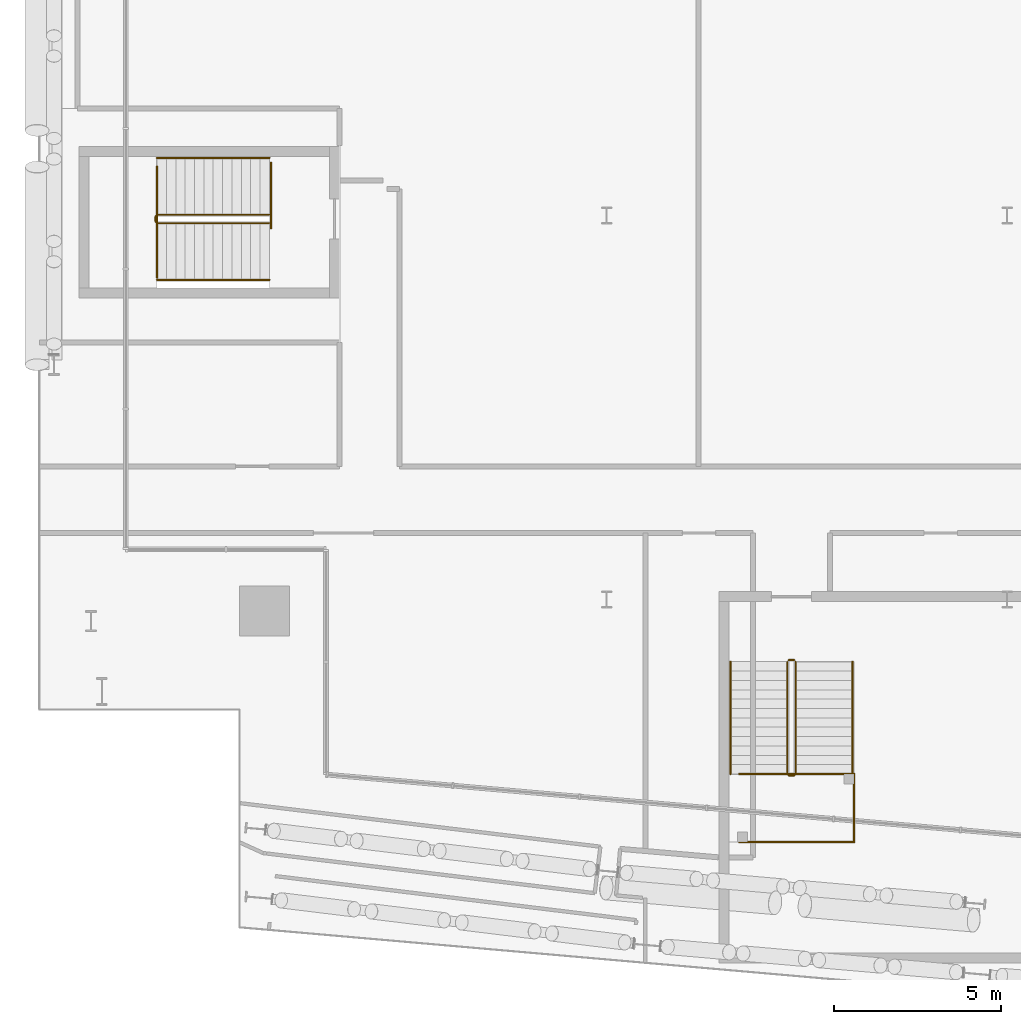
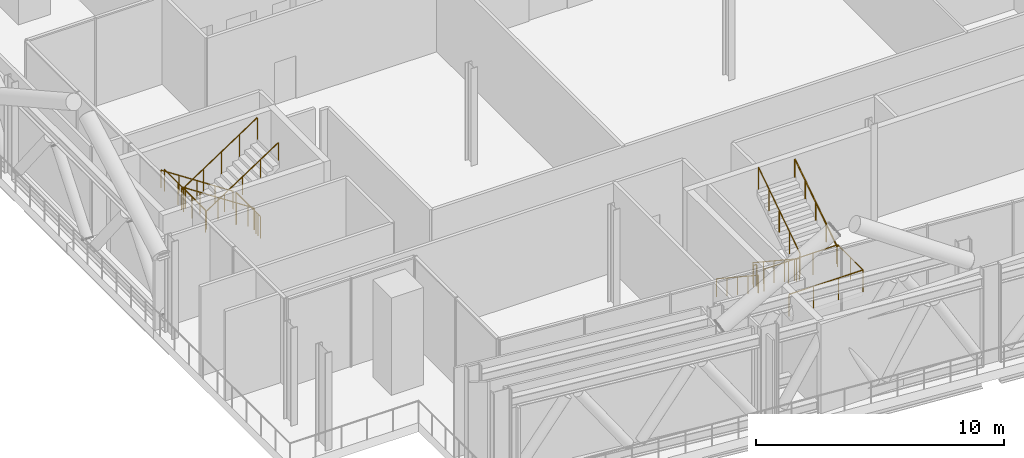
# One storey, part 36 of 42: 13 railings.
"""IFC4 building model written with IfcOpenShell, lengths in metres."""

from ifc_helpers import new_model, si_unit, direction, frame, origin, origin_2d, place, context, subcontext, project, spatial, circle, extrude, material, type_object, element, save


model = new_model("IFC4")

# Units and contexts
model_context = context("Model", 3, precision=1e-05, world=origin(), true_north=direction((0.0, 1.0)))
body_context = subcontext(model_context, "Body", "Model", "MODEL_VIEW")
ifc_project = project(units=[si_unit("LENGTHUNIT", "METRE"), si_unit("AREAUNIT", "SQUARE_METRE"), si_unit("VOLUMEUNIT", "CUBIC_METRE"), si_unit("PLANEANGLEUNIT", "RADIAN"), si_unit("MASSUNIT", "GRAM", prefix="KILO")], contexts=[model_context])

# Site, building, storey
site_placement = place(None, origin())
site = spatial("IfcSite", under=ifc_project, at=site_placement, CompositionType="ELEMENT")
building_placement = place(site_placement, origin())
building = spatial("IfcBuilding", under=site, at=building_placement, Name="Wharfspan Tower", CompositionType="ELEMENT")
storey_placement = place(building_placement, frame((0.0, 0.0, 147.100098)))
storey = spatial("IfcBuildingStorey", under=building, at=storey_placement, Name="L35", CompositionType="ELEMENT", Elevation=147.100098)

# Railings
ifc_material = material(Name="Steel S355J2", Category="steel")
railing_type_1 = type_object("IfcRailingType", Name="Stair guard 1100", PredefinedType="GUARDRAIL", material=ifc_material)
railing_1_placement = place(storey_placement, frame((10.540039, 21.13501, 2.399902)))
element("IfcRailing", 1, at=railing_1_placement, inside=storey, type_object=railing_type_1, Name="L35 ST3 band guard 1", PredefinedType="GUARDRAIL", context=body_context, shape_type="SweptSolid", body=[
    extrude(circle(Radius=0.023926, at=origin_2d()), frame((0.0, 0.0, 1.076172), z_axis=(0.0, 1.0, 0.0), x_axis=(-1.0, 0.0, 0.0)), (0.0, 0.0, 1.0), 3.330078),
    extrude(circle(Radius=0.020996, at=origin_2d()), origin(), (0.0, 0.0, 1.0), 1.052002),
    extrude(circle(Radius=0.020996, at=origin_2d()), frame((0.0, 1.110107, 0.0)), (0.0, 0.0, 1.0), 1.052002),
    extrude(circle(Radius=0.020996, at=origin_2d()), frame((0.0, 2.219971, 0.0)), (0.0, 0.0, 1.0), 1.052002),
    extrude(circle(Radius=0.020996, at=origin_2d()), frame((0.0, 3.330078, 0.0)), (0.0, 0.0, 1.0), 1.052002),
])
railing_2_placement = place(storey_placement, frame((27.974121, 4.234375, 2.399902)))
element("IfcRailing", 2, at=railing_2_placement, inside=storey, type_object=railing_type_1, Name="L35 ST4 band guard 1", PredefinedType="GUARDRAIL", context=body_context, shape_type="SweptSolid", body=[
    extrude(circle(Radius=0.023926, at=origin_2d()), frame((0.0, 0.0, 1.076172), z_axis=(1.0, 0.0, 0.0), x_axis=(0.0, 1.0, 0.0)), (0.0, 0.0, 1.0), 3.440186),
    extrude(circle(Radius=0.020996, at=origin_2d()), origin(), (0.0, 0.0, 1.0), 1.052002),
    extrude(circle(Radius=0.020996, at=origin_2d()), frame((1.146729, 0.0, 0.0)), (0.0, 0.0, 1.0), 1.052002),
    extrude(circle(Radius=0.020996, at=origin_2d()), frame((2.293457, 0.0, 0.0)), (0.0, 0.0, 1.0), 1.052002),
    extrude(circle(Radius=0.020996, at=origin_2d()), frame((3.440186, 0.0, 0.0)), (0.0, 0.0, 1.0), 1.052002),
])
railing_3_placement = place(storey_placement, frame((31.414307, 4.234375, 2.399902)))
element("IfcRailing", 3, at=railing_3_placement, inside=storey, type_object=railing_type_1, Name="L35 ST4 band guard 2", PredefinedType="GUARDRAIL", context=body_context, shape_type="SweptSolid", body=[
    extrude(circle(Radius=0.023926, at=origin_2d()), frame((0.0, 0.0, 1.076172), z_axis=(0.0, 1.0, 0.0), x_axis=(-1.0, 0.0, 0.0)), (0.0, 0.0, 1.0), 2.040039),
    extrude(circle(Radius=0.020996, at=origin_2d()), origin(), (0.0, 0.0, 1.0), 1.052002),
    extrude(circle(Radius=0.020996, at=origin_2d()), frame((0.0, 1.02002, 0.0)), (0.0, 0.0, 1.0), 1.052002),
    extrude(circle(Radius=0.020996, at=origin_2d()), frame((0.0, 2.040039, 0.0)), (0.0, 0.0, 1.0), 1.052002),
])
railing_4_placement = place(storey_placement, frame((31.414307, 6.274414, 2.399902)))
element("IfcRailing", 4, at=railing_4_placement, inside=storey, type_object=railing_type_1, Name="L35 ST4 band guard 3", PredefinedType="GUARDRAIL", context=body_context, shape_type="SweptSolid", body=[
    extrude(circle(Radius=0.023926, at=origin_2d()), frame((0.0, 0.0, 1.076172), z_axis=(-1.0, 0.0, 0.0), x_axis=(0.0, -1.0, 0.0)), (0.0, 0.0, 1.0), 3.440186),
    extrude(circle(Radius=0.020996, at=origin_2d()), origin(), (0.0, 0.0, 1.0), 1.052002),
    extrude(circle(Radius=0.020996, at=origin_2d()), frame((-1.146729, 0.0, 0.0)), (0.0, 0.0, 1.0), 1.052002),
    extrude(circle(Radius=0.020996, at=origin_2d()), frame((-2.293457, 0.0, 0.0)), (0.0, 0.0, 1.0), 1.052002),
    extrude(circle(Radius=0.020996, at=origin_2d()), frame((-3.440186, 0.0, 0.0)), (0.0, 0.0, 1.0), 1.052002),
])
railing_5_placement = place(storey_placement, frame((13.949951, 24.574951, 0.0)))
element("IfcRailing", 5, at=railing_5_placement, inside=storey, type_object=railing_type_1, Name="L35 ST3 top well guard 1", PredefinedType="GUARDRAIL", context=body_context, shape_type="SweptSolid", body=[
    extrude(circle(Radius=0.023926, at=origin_2d()), frame((0.0, 0.0, 1.076172), z_axis=(0.0, -1.0, 0.0), x_axis=(1.0, 0.0, 0.0)), (0.0, 0.0, 1.0), 1.949951),
    extrude(circle(Radius=0.020996, at=origin_2d()), origin(), (0.0, 0.0, 1.0), 1.052002),
    extrude(circle(Radius=0.020996, at=origin_2d()), frame((0.0, -0.975098, 0.0)), (0.0, 0.0, 1.0), 1.052002),
    extrude(circle(Radius=0.020996, at=origin_2d()), frame((0.0, -1.949951, 0.0)), (0.0, 0.0, 1.0), 1.052002),
])
railing_6_placement = place(storey_placement, frame((13.899902, 23.024902, 0.18457)))
element("IfcRailing", 6, at=railing_6_placement, inside=storey, type_object=railing_type_1, Name="L35 ST3 stair guard 1", PredefinedType="GUARDRAIL", context=body_context, shape_type="SweptSolid", body=[
    extrude(circle(Radius=0.023926, at=origin_2d()), frame((0.0, 0.0, 1.076172), z_axis=(-0.834858, 0.0, 0.550465), x_axis=(0.0, -1.0, 0.0)), (0.0, 0.0, 1.0), 4.024414),
    extrude(circle(Radius=0.023926, at=origin_2d()), frame((-3.359863, 0.0, 3.291504), z_axis=(-0.708834, -0.705376, 0.0), x_axis=(0.705376, -0.708834, 0.0)), (0.0, 0.0, 1.0), 0.070557),
    extrude(circle(Radius=0.023926, at=origin_2d()), frame((-3.409912, -0.049805, 3.291504), z_axis=(0.0, -1.0, 0.0), x_axis=(1.0, 0.0, 0.0)), (0.0, 0.0, 1.0), 0.150146),
    extrude(circle(Radius=0.023926, at=origin_2d()), frame((-3.409912, -0.199951, 3.291504), z_axis=(0.253186, -0.253186, 0.933699), x_axis=(0.707107, 0.707107, 0.0)), (0.0, 0.0, 1.0), 0.197754),
    extrude(circle(Radius=0.023926, at=origin_2d()), frame((-3.359863, -0.25, 3.476074), z_axis=(0.834858, 0.0, 0.550465), x_axis=(0.0, 1.0, 0.0)), (0.0, 0.0, 1.0), 4.024414),
    extrude(circle(Radius=0.020996, at=origin_2d()), origin(), (0.0, 0.0, 1.0), 1.052002),
    extrude(circle(Radius=0.020996, at=origin_2d()), frame((-0.839844, 0.0, 0.553711)), (0.0, 0.0, 1.0), 1.052002),
    extrude(circle(Radius=0.020996, at=origin_2d()), frame((-1.679932, 0.0, 1.107666)), (0.0, 0.0, 1.0), 1.052002),
    extrude(circle(Radius=0.020996, at=origin_2d()), frame((-2.52002, 0.0, 1.661621)), (0.0, 0.0, 1.0), 1.052002),
    extrude(circle(Radius=0.020996, at=origin_2d()), frame((-3.359863, 0.0, 2.215332)), (0.0, 0.0, 1.0), 1.052002),
    extrude(circle(Radius=0.020996, at=origin_2d()), frame((-3.409912, -0.049805, 2.215332)), (0.0, 0.0, 1.0), 1.052002),
    extrude(circle(Radius=0.020996, at=origin_2d()), frame((-3.409912, -0.199951, 2.215332)), (0.0, 0.0, 1.0), 1.052002),
    extrude(circle(Radius=0.020996, at=origin_2d()), frame((-3.359863, -0.25, 2.399902)), (0.0, 0.0, 1.0), 1.052002),
    extrude(circle(Radius=0.020996, at=origin_2d()), frame((-2.52002, -0.25, 2.953613)), (0.0, 0.0, 1.0), 1.052002),
    extrude(circle(Radius=0.020996, at=origin_2d()), frame((-1.679932, -0.25, 3.507568)), (0.0, 0.0, 1.0), 1.052002),
    extrude(circle(Radius=0.020996, at=origin_2d()), frame((-0.839844, -0.25, 4.061523)), (0.0, 0.0, 1.0), 1.052002),
    extrude(circle(Radius=0.020996, at=origin_2d()), frame((0.0, -0.25, 4.615234)), (0.0, 0.0, 1.0), 1.052002),
])
railing_7_placement = place(storey_placement, frame((13.949951, 22.975098, 0.0)))
element("IfcRailing", 7, at=railing_7_placement, inside=storey, type_object=railing_type_1, Name="L35 ST3 stair guard 2", PredefinedType="GUARDRAIL", context=body_context, shape_type="SweptSolid", body=[
    extrude(circle(Radius=0.023926, at=origin_2d()), frame((0.0, 0.0, 1.076172), z_axis=(0.0, -1.0, 0.0), x_axis=(1.0, 0.0, 0.0)), (0.0, 0.0, 1.0), 0.150146),
    extrude(circle(Radius=0.020996, at=origin_2d()), origin(), (0.0, 0.0, 1.0), 1.052002),
    extrude(circle(Radius=0.020996, at=origin_2d()), frame((0.0, -0.150146, 0.0)), (0.0, 0.0, 1.0), 1.052002),
])
railing_8_placement = place(storey_placement, frame((29.414307, 9.634277, 0.18457)))
element("IfcRailing", 8, at=railing_8_placement, inside=storey, type_object=railing_type_1, Name="L35 ST4 stair guard 1", PredefinedType="GUARDRAIL", context=body_context, shape_type="SweptSolid", body=[
    extrude(circle(Radius=0.023926, at=origin_2d()), frame((0.0, 0.0, 1.076172), z_axis=(0.0, -0.834876, 0.550437), x_axis=(1.0, 0.0, 0.0)), (0.0, 0.0, 1.0), 4.024658),
    extrude(circle(Radius=0.023926, at=origin_2d()), frame((0.0, -3.360107, 3.291504), z_axis=(0.707107, -0.707107, 0.0), x_axis=(0.707107, 0.707107, 0.0)), (0.0, 0.0, 1.0), 0.070312),
    extrude(circle(Radius=0.023926, at=origin_2d()), frame((0.049805, -3.409912, 3.291504), z_axis=(1.0, 0.0, 0.0), x_axis=(0.0, 1.0, 0.0)), (0.0, 0.0, 1.0), 0.150146),
    extrude(circle(Radius=0.023926, at=origin_2d()), frame((0.199951, -3.409912, 3.291504), z_axis=(0.253265, 0.252029, 0.933991), x_axis=(-0.705374, 0.708837, -1e-06)), (0.0, 0.0, 1.0), 0.19751),
    extrude(circle(Radius=0.023926, at=origin_2d()), frame((0.25, -3.360107, 3.476074), z_axis=(0.0, 0.834876, 0.550437), x_axis=(-1.0, 0.0, 0.0)), (0.0, 0.0, 1.0), 4.024658),
    extrude(circle(Radius=0.020996, at=origin_2d()), origin(), (0.0, 0.0, 1.0), 1.052002),
    extrude(circle(Radius=0.020996, at=origin_2d()), frame((0.0, -0.840088, 0.553711)), (0.0, 0.0, 1.0), 1.052002),
    extrude(circle(Radius=0.020996, at=origin_2d()), frame((0.0, -1.680176, 1.107666)), (0.0, 0.0, 1.0), 1.052002),
    extrude(circle(Radius=0.020996, at=origin_2d()), frame((0.0, -2.52002, 1.661621)), (0.0, 0.0, 1.0), 1.052002),
    extrude(circle(Radius=0.020996, at=origin_2d()), frame((0.0, -3.360107, 2.215332)), (0.0, 0.0, 1.0), 1.052002),
    extrude(circle(Radius=0.020996, at=origin_2d()), frame((0.049805, -3.409912, 2.215332)), (0.0, 0.0, 1.0), 1.052002),
    extrude(circle(Radius=0.020996, at=origin_2d()), frame((0.199951, -3.409912, 2.215332)), (0.0, 0.0, 1.0), 1.052002),
    extrude(circle(Radius=0.020996, at=origin_2d()), frame((0.25, -3.360107, 2.399902)), (0.0, 0.0, 1.0), 1.052002),
    extrude(circle(Radius=0.020996, at=origin_2d()), frame((0.25, -2.52002, 2.953613)), (0.0, 0.0, 1.0), 1.052002),
    extrude(circle(Radius=0.020996, at=origin_2d()), frame((0.25, -1.680176, 3.507568)), (0.0, 0.0, 1.0), 1.052002),
    extrude(circle(Radius=0.020996, at=origin_2d()), frame((0.25, -0.840088, 4.061523)), (0.0, 0.0, 1.0), 1.052002),
    extrude(circle(Radius=0.020996, at=origin_2d()), frame((0.25, 0.0, 4.615234)), (0.0, 0.0, 1.0), 1.052002),
])
railing_9_placement = place(storey_placement, frame((29.464111, 9.684326, 0.0)))
element("IfcRailing", 9, at=railing_9_placement, inside=storey, type_object=railing_type_1, Name="L35 ST4 stair guard 2", PredefinedType="GUARDRAIL", context=body_context, shape_type="SweptSolid", body=[
    extrude(circle(Radius=0.023926, at=origin_2d()), frame((0.0, 0.0, 1.076172), z_axis=(1.0, 0.0, 0.0), x_axis=(0.0, 1.0, 0.0)), (0.0, 0.0, 1.0), 0.150146),
    extrude(circle(Radius=0.020996, at=origin_2d()), origin(), (0.0, 0.0, 1.0), 1.052002),
    extrude(circle(Radius=0.020996, at=origin_2d()), frame((0.150146, 0.0, 0.0)), (0.0, 0.0, 1.0), 1.052002),
])
railing_type_2 = type_object("IfcRailingType", Name="Stair handrail 900", PredefinedType="HANDRAIL", material=ifc_material)
railing_10_placement = place(storey_placement, frame((13.899902, 24.725098, 0.18457)))
element("IfcRailing", 10, at=railing_10_placement, inside=storey, type_object=railing_type_2, Name="L35 ST3 stair handrail 1", PredefinedType="HANDRAIL", context=body_context, shape_type="SweptSolid", body=[
    extrude(circle(Radius=0.023926, at=origin_2d()), frame((0.0, 0.0, 0.875977), z_axis=(-0.834858, 0.0, 0.550465), x_axis=(0.0, -1.0, 0.0)), (0.0, 0.0, 1.0), 4.024414),
    extrude(circle(Radius=0.020996, at=origin_2d()), origin(), (0.0, 0.0, 1.0), 0.851807),
    extrude(circle(Radius=0.020996, at=origin_2d()), frame((-0.839844, 0.0, 0.553711)), (0.0, 0.0, 1.0), 0.851807),
    extrude(circle(Radius=0.020996, at=origin_2d()), frame((-1.679932, 0.0, 1.107666)), (0.0, 0.0, 1.0), 0.851807),
    extrude(circle(Radius=0.020996, at=origin_2d()), frame((-2.52002, 0.0, 1.661621)), (0.0, 0.0, 1.0), 0.851807),
    extrude(circle(Radius=0.020996, at=origin_2d()), frame((-3.359863, 0.0, 2.215332)), (0.0, 0.0, 1.0), 0.851807),
])
railing_11_placement = place(storey_placement, frame((10.540039, 21.074951, 2.584473)))
element("IfcRailing", 11, at=railing_11_placement, inside=storey, type_object=railing_type_2, Name="L35 ST3 stair handrail 2", PredefinedType="HANDRAIL", context=body_context, shape_type="SweptSolid", body=[
    extrude(circle(Radius=0.023926, at=origin_2d()), frame((0.0, 0.0, 0.875977), z_axis=(0.834858, 0.0, 0.550465), x_axis=(0.0, 1.0, 0.0)), (0.0, 0.0, 1.0), 4.024414),
    extrude(circle(Radius=0.020996, at=origin_2d()), origin(), (0.0, 0.0, 1.0), 0.851807),
    extrude(circle(Radius=0.020996, at=origin_2d()), frame((0.839844, 0.0, 0.553711)), (0.0, 0.0, 1.0), 0.851807),
    extrude(circle(Radius=0.020996, at=origin_2d()), frame((1.679932, 0.0, 1.107666)), (0.0, 0.0, 1.0), 0.851807),
    extrude(circle(Radius=0.020996, at=origin_2d()), frame((2.52002, 0.0, 1.661621)), (0.0, 0.0, 1.0), 0.851807),
    extrude(circle(Radius=0.020996, at=origin_2d()), frame((3.359863, 0.0, 2.215332)), (0.0, 0.0, 1.0), 0.851807),
])
railing_12_placement = place(storey_placement, frame((27.714111, 9.634277, 0.18457)))
element("IfcRailing", 12, at=railing_12_placement, inside=storey, type_object=railing_type_2, Name="L35 ST4 stair handrail 1", PredefinedType="HANDRAIL", context=body_context, shape_type="SweptSolid", body=[
    extrude(circle(Radius=0.023926, at=origin_2d()), frame((0.0, 0.0, 0.875977), z_axis=(0.0, -0.834876, 0.550437), x_axis=(1.0, 0.0, 0.0)), (0.0, 0.0, 1.0), 4.024658),
    extrude(circle(Radius=0.020996, at=origin_2d()), origin(), (0.0, 0.0, 1.0), 0.851807),
    extrude(circle(Radius=0.020996, at=origin_2d()), frame((0.0, -0.840088, 0.553711)), (0.0, 0.0, 1.0), 0.851807),
    extrude(circle(Radius=0.020996, at=origin_2d()), frame((0.0, -1.680176, 1.107666)), (0.0, 0.0, 1.0), 0.851807),
    extrude(circle(Radius=0.020996, at=origin_2d()), frame((0.0, -2.52002, 1.661621)), (0.0, 0.0, 1.0), 0.851807),
    extrude(circle(Radius=0.020996, at=origin_2d()), frame((0.0, -3.360107, 2.215332)), (0.0, 0.0, 1.0), 0.851807),
])
railing_13_placement = place(storey_placement, frame((31.364258, 6.27417, 2.584473)))
element("IfcRailing", 13, at=railing_13_placement, inside=storey, type_object=railing_type_2, Name="L35 ST4 stair handrail 2", PredefinedType="HANDRAIL", context=body_context, shape_type="SweptSolid", body=[
    extrude(circle(Radius=0.023926, at=origin_2d()), frame((0.0, 0.0, 0.875977), z_axis=(0.0, 0.834876, 0.550437), x_axis=(-1.0, 0.0, 0.0)), (0.0, 0.0, 1.0), 4.024658),
    extrude(circle(Radius=0.020996, at=origin_2d()), origin(), (0.0, 0.0, 1.0), 0.851807),
    extrude(circle(Radius=0.020996, at=origin_2d()), frame((0.0, 0.840088, 0.553711)), (0.0, 0.0, 1.0), 0.851807),
    extrude(circle(Radius=0.020996, at=origin_2d()), frame((0.0, 1.680176, 1.107666)), (0.0, 0.0, 1.0), 0.851807),
    extrude(circle(Radius=0.020996, at=origin_2d()), frame((0.0, 2.52002, 1.661621)), (0.0, 0.0, 1.0), 0.851807),
    extrude(circle(Radius=0.020996, at=origin_2d()), frame((0.0, 3.360107, 2.215332)), (0.0, 0.0, 1.0), 0.851807),
])

save(model, "model.ifc")
